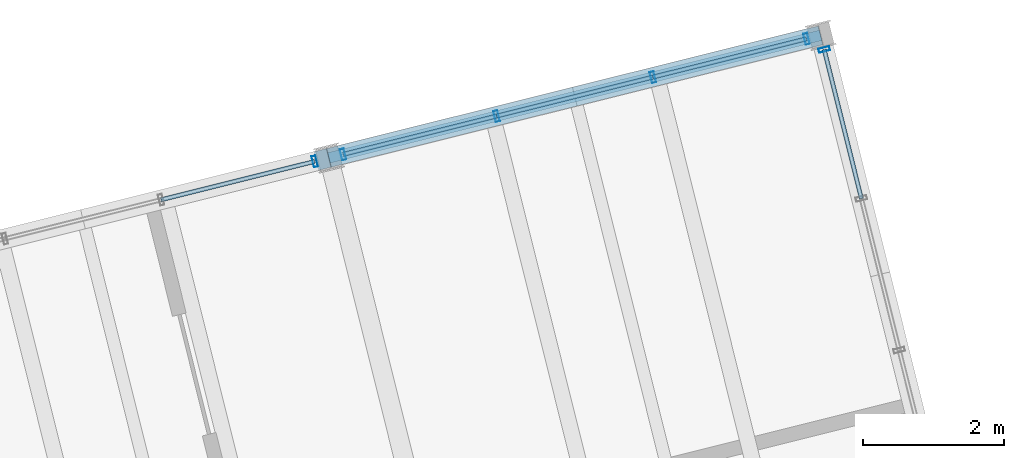
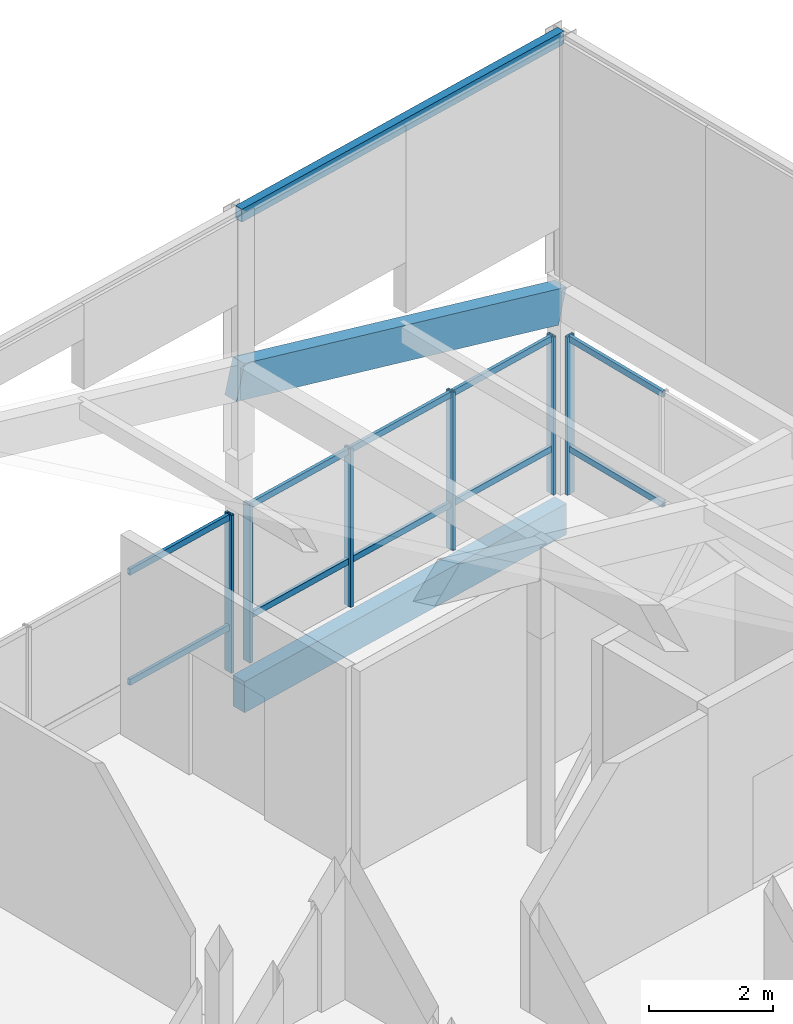
# One storey, part 26 of 31: 16 members, 3 beams, 3 elements without a shape of their own.
"""IFC4 building model written with IfcOpenShell, lengths in metres."""

import ifcopenshell
import ifcopenshell.guid

model = None  # the IFC model being written
_history = None  # IfcOwnerHistory: only IFC2X3 demands one
_inside = {}  # id of a spatial element -> (the spatial element, [elements in it])
_under = {}  # id of a project, library or spatial element -> (it, [spatial elements below it])
_declared = {}  # id of a project -> (the project, [libraries it declares])
_typed = {}  # id of a type object -> (the type object, [elements of that type])
_made_of = {}  # id of a material, layer set ... -> (it, [elements and type objects made of it])


def new_model(schema):
    """Start an empty IFC model of exactly this schema.

    Asked for "IFC4X3", IfcOpenShell would pick the latest addendum, in which some entities
    have other attributes; the version numbers below select the first issue.
    IFC2X3 requires an IfcOwnerHistory on every rooted entity: one is made here for all.
    """
    global model, _history
    if schema == "IFC4X3":
        model = ifcopenshell.file(schema_version=(4, 3, 0, 0))
    else:
        model = ifcopenshell.file(schema=schema)
    _inside.clear()
    _under.clear()
    _declared.clear()
    _typed.clear()
    _made_of.clear()
    _history = None
    if model.schema == "IFC2X3":
        org = make("IfcOrganization", Name="unknown")
        user = make(
            "IfcPersonAndOrganization",
            ThePerson=make("IfcPerson", FamilyName="unknown"),
            TheOrganization=org,
        )
        app = make(
            "IfcApplication",
            ApplicationDeveloper=org,
            Version="unknown",
            ApplicationFullName="unknown",
            ApplicationIdentifier="unknown",
        )
        _history = make(
            "IfcOwnerHistory",
            OwningUser=user,
            OwningApplication=app,
            ChangeAction="ADDED",
            CreationDate=0,
        )
    return model


def make(cls, **values):
    """One entity of the class cls with the attributes given. An attribute that is None is left unset."""
    return model.create_entity(
        cls, **{name: value for name, value in values.items() if value is not None}
    )


def rooted(cls, **values):
    """An entity with a GlobalId (a new one), such as an element, a storey or a relation."""
    return make(cls, GlobalId=ifcopenshell.guid.new(), OwnerHistory=_history, **values)


def si_unit(unit_type, name, prefix=None):
    """IfcSIUnit, for example si_unit("LENGTHUNIT", "METRE", prefix="MILLI")."""
    return make("IfcSIUnit", UnitType=unit_type, Prefix=prefix, Name=name)


def assignment(units):
    """IfcUnitAssignment: the units of a project."""
    return None if units is None else make("IfcUnitAssignment", Units=units)


def point(xyz):
    """IfcCartesianPoint."""
    return None if xyz is None else make("IfcCartesianPoint", Coordinates=xyz)


def direction(xyz):
    """IfcDirection."""
    return None if xyz is None else make("IfcDirection", DirectionRatios=xyz)


def frame(location, z_axis=None, x_axis=None):
    """IfcAxis2Placement3D, a coordinate frame: its origin and axes. An axis left out is left unset."""
    return make(
        "IfcAxis2Placement3D",
        Location=point(location),
        Axis=direction(z_axis),
        RefDirection=direction(x_axis),
    )


def frame_2d(location, x_axis=None):
    """IfcAxis2Placement2D, a coordinate frame in the plane: its origin and x axis."""
    return make(
        "IfcAxis2Placement2D", Location=point(location), RefDirection=direction(x_axis)
    )


def origin():
    """The frame at (0, 0, 0) with its axes left unset."""
    return frame((0.0, 0.0, 0.0))


def origin_2d():
    """The frame at (0, 0) in the plane with its x axis left unset."""
    return frame_2d((0.0, 0.0))


def place(relative_to, where):
    """IfcLocalPlacement: puts the frame where relative to a parent placement (None: the world)."""
    return make(
        "IfcLocalPlacement", PlacementRelTo=relative_to, RelativePlacement=where
    )


def context(
    kind, dimensions, precision=None, world=None, true_north=None, identifier=None
):
    """IfcGeometricRepresentationContext, for example the 3D "Model" context."""
    return make(
        "IfcGeometricRepresentationContext",
        ContextIdentifier=identifier,
        ContextType=kind,
        CoordinateSpaceDimension=dimensions,
        Precision=precision,
        WorldCoordinateSystem=world,
        TrueNorth=true_north,
    )


def subcontext(parent, identifier, kind, view, scale=None):
    """IfcGeometricRepresentationSubContext, for example "Body" below "Model"."""
    return make(
        "IfcGeometricRepresentationSubContext",
        ContextIdentifier=identifier,
        ContextType=kind,
        ParentContext=parent,
        TargetScale=scale,
        TargetView=view,
    )


def project(units=None, contexts=None):
    """IfcProject with its units and contexts."""
    return rooted(
        "IfcProject",
        Name="project",
        RepresentationContexts=contexts,
        UnitsInContext=assignment(units),
    )


def spatial(cls, under=None, at=None, **own):
    """A site, building, storey or space (cls), placed at a placement, below another one or the project."""
    s = rooted(cls, ObjectPlacement=at, **own)
    if under is not None:
        _under.setdefault(under.id(), (under, []))[1].append(s)
    return s


def profile(cls, at=None, kind="AREA", **sizes):
    """A parametric profile (cls). Its sizes go by their IFC names, for example OverallWidth=200.0."""
    return make(cls, ProfileType=kind, Position=at, **sizes)


def rectangle(**sizes):
    """IfcRectangleProfileDef."""
    return profile("IfcRectangleProfileDef", **sizes)


def hollow_rectangle(**sizes):
    """IfcRectangleHollowProfileDef."""
    return profile("IfcRectangleHollowProfileDef", **sizes)


def extrude(swept, where, along, depth):
    """IfcExtrudedAreaSolid: the profile swept, set in the frame where, extruded along a direction by depth."""
    return make(
        "IfcExtrudedAreaSolid",
        SweptArea=swept,
        Position=where,
        ExtrudedDirection=direction(along),
        Depth=depth,
    )


def shape(context_of_items, identifier, shape_type, items):
    """IfcShapeRepresentation: the items that make up one representation, for example the "Body"."""
    return make(
        "IfcShapeRepresentation",
        ContextOfItems=context_of_items,
        RepresentationIdentifier=identifier,
        RepresentationType=shape_type,
        Items=items,
    )


def material(Name=None, Category=None):
    """IfcMaterial."""
    return make("IfcMaterial", Name=Name, Category=Category)


def layer(
    of_material, thickness, ventilated=None, Name=None, Category=None, Priority=None
):
    """IfcMaterialLayer: one layer of a wall or slab, of a material (None: an air gap)."""
    return make(
        "IfcMaterialLayer",
        Material=of_material,
        LayerThickness=thickness,
        IsVentilated=ventilated,
        Name=Name,
        Category=Category,
        Priority=Priority,
    )


def layer_set(layers, Name=None):
    """IfcMaterialLayerSet."""
    return make("IfcMaterialLayerSet", MaterialLayers=layers, LayerSetName=Name)


def material_profile(
    of_material, cross_section, Name=None, Category=None, Priority=None
):
    """IfcMaterialProfile: a cross section and its material."""
    return make(
        "IfcMaterialProfile",
        Name=Name,
        Material=of_material,
        Profile=cross_section,
        Priority=Priority,
        Category=Category,
    )


def profile_set(profiles, Name=None, composite=None):
    """IfcMaterialProfileSet."""
    return make(
        "IfcMaterialProfileSet",
        Name=Name,
        MaterialProfiles=profiles,
        CompositeProfile=composite,
    )


def made_of(thing, what):
    """Note that an element or type object is made of a material, layer set ...; save() writes the relation."""
    if what is not None:
        _made_of.setdefault(what.id(), (what, []))[1].append(thing)
    return thing


def type_object(cls, material=None, **own):
    """A type object (cls), such as IfcWallType, which elements share."""
    return made_of(rooted(cls, **own), material)


def element(
    cls,
    number,
    at=None,
    inside=None,
    cuts=None,
    type_object=None,
    material=None,
    context=None,
    identifier="Body",
    shape_type=None,
    held_by="IfcProductDefinitionShape",
    body=None,
    shapes=None,
    **own,
):
    """One element of the class cls, such as IfcWall. Its Tag is "e" and its number.

    at: its placement. inside: the storey or other place that contains it. cuts: it is an
    opening in that element (IfcRelVoidsElement). A single representation is given by context,
    identifier, shape_type and body (its items); several are given by shapes. held_by: the class
    of the entity that holds the representations. save() writes the other relations.
    """
    e = rooted(cls, Tag="e%d" % number, ObjectPlacement=at, **own)
    if body is not None:
        shapes = [shape(context, identifier, shape_type, body)]
    if shapes is not None:
        e.Representation = make(held_by, Representations=shapes)
    if inside is not None:
        _inside.setdefault(inside.id(), (inside, []))[1].append(e)
    if cuts is not None:
        rooted(
            "IfcRelVoidsElement", RelatingBuildingElement=cuts, RelatedOpeningElement=e
        )
    if type_object is not None:
        _typed.setdefault(type_object.id(), (type_object, []))[1].append(e)
    return made_of(e, material)


def aggregate(whole, parts):
    """IfcRelAggregates: a whole, such as a stair, and the parts it consists of."""
    return rooted("IfcRelAggregates", RelatingObject=whole, RelatedObjects=parts)


def save(model, path):
    """Write the relations noted so far, then the file.

    IfcRelAggregates (storeys below a building ...), IfcRelContainedInSpatialStructure (elements
    in a storey), IfcRelDefinesByType, IfcRelAssociatesMaterial and IfcRelDeclares: one each for
    every whole, place, type object, material and project.
    """
    for whole, parts in _under.values():
        aggregate(whole, parts)
    for where, things in _inside.values():
        rooted(
            "IfcRelContainedInSpatialStructure",
            RelatedElements=things,
            RelatingStructure=where,
        )
    for kind, things in _typed.values():
        rooted("IfcRelDefinesByType", RelatedObjects=things, RelatingType=kind)
    for what, things in _made_of.values():
        rooted("IfcRelAssociatesMaterial", RelatedObjects=things, RelatingMaterial=what)
    for by, libraries in _declared.values():
        rooted("IfcRelDeclares", RelatingContext=by, RelatedDefinitions=libraries)
    model.write(path)


model = new_model("IFC4")

# Units and contexts
model_context = context("Model", 3, precision=1e-05, world=origin(), true_north=direction((0.0, 1.0)))
body_context = subcontext(model_context, "Body", "Model", "MODEL_VIEW")
ifc_project = project(units=[si_unit("LENGTHUNIT", "METRE"), si_unit("AREAUNIT", "SQUARE_METRE"), si_unit("VOLUMEUNIT", "CUBIC_METRE"), si_unit("PLANEANGLEUNIT", "RADIAN"), si_unit("MASSUNIT", "GRAM", prefix="KILO")], contexts=[model_context])

# Site, building, storey
site_placement = place(None, origin())
site = spatial("IfcSite", under=ifc_project, at=site_placement, CompositionType="ELEMENT")
building_placement = place(site_placement, origin())
building = spatial("IfcBuilding", under=site, at=building_placement, Name="Meriwether Solvik Hall", CompositionType="ELEMENT")
storey_placement = place(building_placement, frame((0.0, 0.0, 61.199951171875)))
storey = spatial("IfcBuildingStorey", under=building, at=storey_placement, Name="L15", CompositionType="ELEMENT", Elevation=61.199951171875)

# Beams
ifc_material_1 = material(Name="Glulam Douglas-Fir 24F-V8 GL28h", Category="wood")
ifc_material_profile_1 = material_profile(ifc_material_1, rectangle(XDim=0.27294921875, YDim=0.610107421875, at=origin_2d()), Name="GLB-273X610")
ifc_profile_set_1 = profile_set([ifc_material_profile_1], Name="Glulam Douglas-Fir 24F-V8 GL28h")
beam_type_1 = type_object("IfcBeamType", Name="BM-GL-273X610", PredefinedType="SPANDREL", material=ifc_profile_set_1)
beam_1_placement = place(storey_placement, frame((83.172607421875, 73.690673828125, -0.550048828125), z_axis=(0.970301855688, 0.241897310542, 0.0), x_axis=(-0.241897310542, 0.970301855688, 0.0)))
element("IfcBeam", 1, at=beam_1_placement, inside=storey, type_object=beam_type_1, Name="Tower Girder TE:T4-T5 (L15)", PredefinedType="SPANDREL", context=body_context, shape_type="SweptSolid", body=[
    extrude(rectangle(XDim=0.27294921875, YDim=0.610107421875, at=origin_2d()), origin(), (0.0, 0.0, 1.0), 7.2001953125),
])
ifc_material_2 = material(Name="Glulam Douglas-Fir 24F-V8 GL28h", Category="wood")
ifc_material_profile_2 = material_profile(ifc_material_2, rectangle(XDim=0.27294921875, YDim=0.68505859375, at=origin_2d()), Name="GLB-273X685")
ifc_profile_set_2 = profile_set([ifc_material_profile_2], Name="Glulam Douglas-Fir 24F-V8 GL28h")
beam_type_2 = type_object("IfcBeamType", Name="BM-GL-273X685", PredefinedType="BEAM", material=ifc_profile_set_2)
beam_2_placement = place(storey_placement, frame((83.083740234375, 73.66845703125, 5.674072265625), z_axis=(0.934900584073, 0.23307988002, -0.2676465345), x_axis=(-0.241905269381, 0.970299871507, 0.0)))
element("IfcBeam", 2, at=beam_2_placement, inside=storey, type_object=beam_type_2, Name="Sloped Roof Rafter TE:T4-T5", PredefinedType="BEAM", context=body_context, shape_type="SweptSolid", body=[
    extrude(rectangle(XDim=0.27294921875, YDim=0.68505859375, at=origin_2d()), origin(), (0.0, 0.0, 1.0), 7.47265625),
])
ifc_material_3 = material(Name="Steel A500 Grade C", Category="steel")
ifc_material_profile_3 = material_profile(ifc_material_3, hollow_rectangle(XDim=0.152099609375, YDim=0.25390625, WallThickness=0.009521484375, at=origin_2d()), Name="HSS254X152X9.5")
ifc_profile_set_3 = profile_set([ifc_material_profile_3], Name="Steel A500 Grade C")
beam_type_3 = type_object("IfcBeamType", Name="BM-STL-HSS254", PredefinedType="SPANDREL", material=ifc_profile_set_3)
beam_3_placement = place(storey_placement, frame((90.158935546875, 75.432373046875, 8.873046875), z_axis=(-0.970301855688, -0.241897310542, 0.0), x_axis=(0.241897310542, -0.970301855688, 0.0)))
element("IfcBeam", 3, at=beam_3_placement, inside=storey, type_object=beam_type_3, Name="Crown Cap Ring Beam T5TE-T4TE", PredefinedType="SPANDREL", context=body_context, shape_type="SweptSolid", body=[
    extrude(hollow_rectangle(XDim=0.152099609375, YDim=0.25390625, WallThickness=0.009521484375, at=origin_2d()), origin(), (0.0, 0.0, 1.0), 7.2001953125),
])

# Curtain wall, member
ifc_material_4 = material(Name="Thermally Broken Anodised Aluminium 6063-T6 and Low-E Glass", Category="aluminium")
ifc_layer_1 = layer(ifc_material_4, 0.179931640625)
ifc_layer_set_1 = layer_set([ifc_layer_1], Name="Thermally Broken Anodised Aluminium 6063-T6 and Low-E Glass")
curtain_wall_type_1 = type_object("IfcCurtainWallType", Name="CW-UNIT-C", PredefinedType="USERDEFINED", material=ifc_layer_set_1)
curtain_wall_1_placement = place(storey_placement, origin())
curtain_wall_1 = element("IfcCurtainWall", 4, at=curtain_wall_1_placement, inside=storey, type_object=curtain_wall_type_1, Name="Curtain Wall E1_B3 (L15)", ObjectType="UNITISED CURTAIN WALL", PredefinedType="USERDEFINED")
ifc_material_5 = material(Name="Anodised Aluminium 6063-T6", Category="aluminium")
ifc_material_profile_4 = material_profile(ifc_material_5, hollow_rectangle(XDim=0.06005859375, YDim=0.159912109375, WallThickness=0.00390625, at=origin_2d()), Name="CWM-60X160")
ifc_profile_set_4 = profile_set([ifc_material_profile_4], Name="Anodised Aluminium 6063-T6")
member_type_1 = type_object("IfcMemberType", Name="CW-MUL-60X160", PredefinedType="MULLION", material=ifc_profile_set_4)
member_1_placement = place(storey_placement, frame((90.208984375, 75.23095703125, 0.0), z_axis=(0.0, 0.0, 1.0), x_axis=(0.241921925524, -0.970295718815, 0.0)))
member_1 = element("IfcMember", 5, at=member_1_placement, type_object=member_type_1, Name="Curtain Wall Mullion 1", PredefinedType="MULLION", context=body_context, shape_type="SweptSolid", body=[
    extrude(hollow_rectangle(XDim=0.06005859375, YDim=0.159912109375, WallThickness=0.00390625, at=origin_2d()), origin(), (0.0, 0.0, 1.0), 3.10205078125),
])

curtain_wall_2_placement = place(storey_placement, origin())
curtain_wall_2 = element("IfcCurtainWall", 6, at=curtain_wall_2_placement, inside=storey, type_object=curtain_wall_type_1, Name="Curtain Wall E2_B2 (L15)", ObjectType="UNITISED CURTAIN WALL", PredefinedType="USERDEFINED")
member_2_placement = place(storey_placement, frame((82.971435546875, 73.640380859375, 0.0), z_axis=(0.0, 0.0, 1.0), x_axis=(0.970295730764, 0.241921877598, 0.0)))
member_2 = element("IfcMember", 7, at=member_2_placement, type_object=member_type_1, Name="Curtain Wall Mullion 4", PredefinedType="MULLION", context=body_context, shape_type="SweptSolid", body=[
    extrude(hollow_rectangle(XDim=0.06005859375, YDim=0.159912109375, WallThickness=0.00390625, at=origin_2d()), origin(), (0.0, 0.0, 1.0), 3.10205078125),
])

# Curtain wall, members
ifc_material_6 = material(Name="Thermally Broken Anodised Aluminium 6063-T6 and Low-E Glass", Category="aluminium")
ifc_layer_2 = layer(ifc_material_6, 0.179931640625)
ifc_layer_set_2 = layer_set([ifc_layer_2], Name="Thermally Broken Anodised Aluminium 6063-T6 and Low-E Glass")
curtain_wall_type_2 = type_object("IfcCurtainWallType", Name="CW-UNIT-D", PredefinedType="USERDEFINED", material=ifc_layer_set_2)
curtain_wall_3_placement = place(storey_placement, origin())
curtain_wall_3 = element("IfcCurtainWall", 8, at=curtain_wall_3_placement, inside=storey, type_object=curtain_wall_type_2, Name="Curtain Wall E2_B3 (L15)", ObjectType="UNITISED CURTAIN WALL", PredefinedType="USERDEFINED")
member_3_placement = place(storey_placement, frame((83.3740234375, 73.74072265625, 0.0), z_axis=(0.0, 0.0, 1.0), x_axis=(0.970295730764, 0.241921877598, 0.0)))
member_3 = element("IfcMember", 9, at=member_3_placement, type_object=member_type_1, Name="Curtain Wall Mullion 1", PredefinedType="MULLION", context=body_context, shape_type="SweptSolid", body=[
    extrude(hollow_rectangle(XDim=0.06005859375, YDim=0.159912109375, WallThickness=0.00390625, at=origin_2d()), origin(), (0.0, 0.0, 1.0), 3.10205078125),
])
member_4_placement = place(storey_placement, frame((85.55615234375, 74.284912109375, 0.0), z_axis=(0.0, 0.0, 1.0), x_axis=(0.970295730764, 0.241921877598, 0.0)))
member_4 = element("IfcMember", 10, at=member_4_placement, type_object=member_type_1, Name="Curtain Wall Mullion 2", PredefinedType="MULLION", context=body_context, shape_type="SweptSolid", body=[
    extrude(hollow_rectangle(XDim=0.06005859375, YDim=0.159912109375, WallThickness=0.00390625, at=origin_2d()), origin(), (0.0, 0.0, 1.0), 3.10205078125),
])
member_5_placement = place(storey_placement, frame((87.775390625, 74.838134765625, 0.0), z_axis=(0.0, 0.0, 1.0), x_axis=(0.970295730764, 0.241921877598, 0.0)))
member_5 = element("IfcMember", 11, at=member_5_placement, type_object=member_type_1, Name="Curtain Wall Mullion 3", PredefinedType="MULLION", context=body_context, shape_type="SweptSolid", body=[
    extrude(hollow_rectangle(XDim=0.06005859375, YDim=0.159912109375, WallThickness=0.00390625, at=origin_2d()), origin(), (0.0, 0.0, 1.0), 3.10205078125),
])
member_6_placement = place(storey_placement, frame((89.95751953125, 75.382080078125, 0.0), z_axis=(0.0, 0.0, 1.0), x_axis=(0.970295730764, 0.241921877598, 0.0)))
member_6 = element("IfcMember", 12, at=member_6_placement, type_object=member_type_1, Name="Curtain Wall Mullion 4", PredefinedType="MULLION", context=body_context, shape_type="SweptSolid", body=[
    extrude(hollow_rectangle(XDim=0.06005859375, YDim=0.159912109375, WallThickness=0.00390625, at=origin_2d()), origin(), (0.0, 0.0, 1.0), 3.10205078125),
])

# Member
ifc_material_7 = material(Name="Anodised Aluminium 6063-T6", Category="aluminium")
ifc_material_profile_5 = material_profile(ifc_material_7, hollow_rectangle(XDim=0.06005859375, YDim=0.1201171875, WallThickness=0.00390625, at=origin_2d()), Name="CWT-60X120")
ifc_profile_set_5 = profile_set([ifc_material_profile_5], Name="Anodised Aluminium 6063-T6")
member_type_2 = type_object("IfcMemberType", Name="CW-TRN-60X120", PredefinedType="USERDEFINED", material=ifc_profile_set_5)
member_7_placement = place(storey_placement, frame((90.208984375, 75.23095703125, 0.880126953125), z_axis=(0.241982798004, -0.970280539571, 0.0), x_axis=(0.970280539571, 0.241982798004, 0.0)))
member_7 = element("IfcMember", 13, at=member_7_placement, type_object=member_type_2, Name="Curtain Wall Transom 1-sill", ObjectType="TRANSOM", PredefinedType="USERDEFINED", context=body_context, shape_type="SweptSolid", body=[
    extrude(hollow_rectangle(XDim=0.06005859375, YDim=0.1201171875, WallThickness=0.00390625, at=origin_2d()), origin(), (0.0, 0.0, 1.0), 2.182373046875),
])

member_8_placement = place(storey_placement, frame((90.208984375, 75.23095703125, 3.0419921875), z_axis=(0.241982798004, -0.970280539571, 0.0), x_axis=(0.970280539571, 0.241982798004, 0.0)))
member_8 = element("IfcMember", 14, at=member_8_placement, type_object=member_type_2, Name="Curtain Wall Transom 1-head", ObjectType="TRANSOM", PredefinedType="USERDEFINED", context=body_context, shape_type="SweptSolid", body=[
    extrude(hollow_rectangle(XDim=0.06005859375, YDim=0.1201171875, WallThickness=0.00390625, at=origin_2d()), origin(), (0.0, 0.0, 1.0), 2.182373046875),
])

aggregate(curtain_wall_1, [member_1, member_7, member_8])

member_9_placement = place(storey_placement, frame((80.7890625, 73.09619140625, 0.880126953125), z_axis=(0.970289178123, 0.241948157292, 0.0), x_axis=(-0.241948157292, 0.970289178123, 0.0)))
member_9 = element("IfcMember", 15, at=member_9_placement, type_object=member_type_2, Name="Curtain Wall Transom 3-sill", ObjectType="TRANSOM", PredefinedType="USERDEFINED", context=body_context, shape_type="SweptSolid", body=[
    extrude(hollow_rectangle(XDim=0.06005859375, YDim=0.1201171875, WallThickness=0.00390625, at=origin_2d()), origin(), (0.0, 0.0, 1.0), 2.249267578125),
])

member_10_placement = place(storey_placement, frame((80.7890625, 73.09619140625, 3.0419921875), z_axis=(0.970289178123, 0.241948157292, 0.0), x_axis=(-0.241948157292, 0.970289178123, 0.0)))
member_10 = element("IfcMember", 16, at=member_10_placement, type_object=member_type_2, Name="Curtain Wall Transom 3-head", ObjectType="TRANSOM", PredefinedType="USERDEFINED", context=body_context, shape_type="SweptSolid", body=[
    extrude(hollow_rectangle(XDim=0.06005859375, YDim=0.1201171875, WallThickness=0.00390625, at=origin_2d()), origin(), (0.0, 0.0, 1.0), 2.249267578125),
])

aggregate(curtain_wall_2, [member_2, member_9, member_10])

member_11_placement = place(storey_placement, frame((83.3740234375, 73.74072265625, 0.880126953125), z_axis=(0.970282822978, 0.241973642025, 0.0), x_axis=(-0.241973642025, 0.970282822978, 0.0)))
member_11 = element("IfcMember", 17, at=member_11_placement, type_object=member_type_2, Name="Curtain Wall Transom 1-sill", ObjectType="TRANSOM", PredefinedType="USERDEFINED", context=body_context, shape_type="SweptSolid", body=[
    extrude(hollow_rectangle(XDim=0.06005859375, YDim=0.1201171875, WallThickness=0.00390625, at=origin_2d()), origin(), (0.0, 0.0, 1.0), 2.2490234375),
])

member_12_placement = place(storey_placement, frame((83.3740234375, 73.74072265625, 3.0419921875), z_axis=(0.970282822978, 0.241973642025, 0.0), x_axis=(-0.241973642025, 0.970282822978, 0.0)))
member_12 = element("IfcMember", 18, at=member_12_placement, type_object=member_type_2, Name="Curtain Wall Transom 1-head", ObjectType="TRANSOM", PredefinedType="USERDEFINED", context=body_context, shape_type="SweptSolid", body=[
    extrude(hollow_rectangle(XDim=0.06005859375, YDim=0.1201171875, WallThickness=0.00390625, at=origin_2d()), origin(), (0.0, 0.0, 1.0), 2.2490234375),
])

member_13_placement = place(storey_placement, frame((85.55615234375, 74.284912109375, 0.880126953125), z_axis=(0.970305536326, 0.241882546239, 0.0), x_axis=(-0.241882546239, 0.970305536326, 0.0)))
member_13 = element("IfcMember", 19, at=member_13_placement, type_object=member_type_2, Name="Curtain Wall Transom 2-sill", ObjectType="TRANSOM", PredefinedType="USERDEFINED", context=body_context, shape_type="SweptSolid", body=[
    extrude(hollow_rectangle(XDim=0.06005859375, YDim=0.1201171875, WallThickness=0.00390625, at=origin_2d()), origin(), (0.0, 0.0, 1.0), 2.287109375),
])

member_14_placement = place(storey_placement, frame((85.55615234375, 74.284912109375, 3.0419921875), z_axis=(0.970305536326, 0.241882546239, 0.0), x_axis=(-0.241882546239, 0.970305536326, 0.0)))
member_14 = element("IfcMember", 20, at=member_14_placement, type_object=member_type_2, Name="Curtain Wall Transom 2-head", ObjectType="TRANSOM", PredefinedType="USERDEFINED", context=body_context, shape_type="SweptSolid", body=[
    extrude(hollow_rectangle(XDim=0.06005859375, YDim=0.1201171875, WallThickness=0.00390625, at=origin_2d()), origin(), (0.0, 0.0, 1.0), 2.287109375),
])

member_15_placement = place(storey_placement, frame((87.775390625, 74.838134765625, 0.880126953125), z_axis=(0.970308305597, 0.241871437108, 0.0), x_axis=(-0.241871437108, 0.970308305597, 0.0)))
member_15 = element("IfcMember", 21, at=member_15_placement, type_object=member_type_2, Name="Curtain Wall Transom 3-sill", ObjectType="TRANSOM", PredefinedType="USERDEFINED", context=body_context, shape_type="SweptSolid", body=[
    extrude(hollow_rectangle(XDim=0.06005859375, YDim=0.1201171875, WallThickness=0.00390625, at=origin_2d()), origin(), (0.0, 0.0, 1.0), 2.2490234375),
])

member_16_placement = place(storey_placement, frame((87.775390625, 74.838134765625, 3.0419921875), z_axis=(0.970308305597, 0.241871437108, 0.0), x_axis=(-0.241871437108, 0.970308305597, 0.0)))
member_16 = element("IfcMember", 22, at=member_16_placement, type_object=member_type_2, Name="Curtain Wall Transom 3-head", ObjectType="TRANSOM", PredefinedType="USERDEFINED", context=body_context, shape_type="SweptSolid", body=[
    extrude(hollow_rectangle(XDim=0.06005859375, YDim=0.1201171875, WallThickness=0.00390625, at=origin_2d()), origin(), (0.0, 0.0, 1.0), 2.2490234375),
])

aggregate(curtain_wall_3, [member_3, member_4, member_5, member_6, member_11, member_12, member_13, member_14, member_15, member_16])

save(model, "model.ifc")
